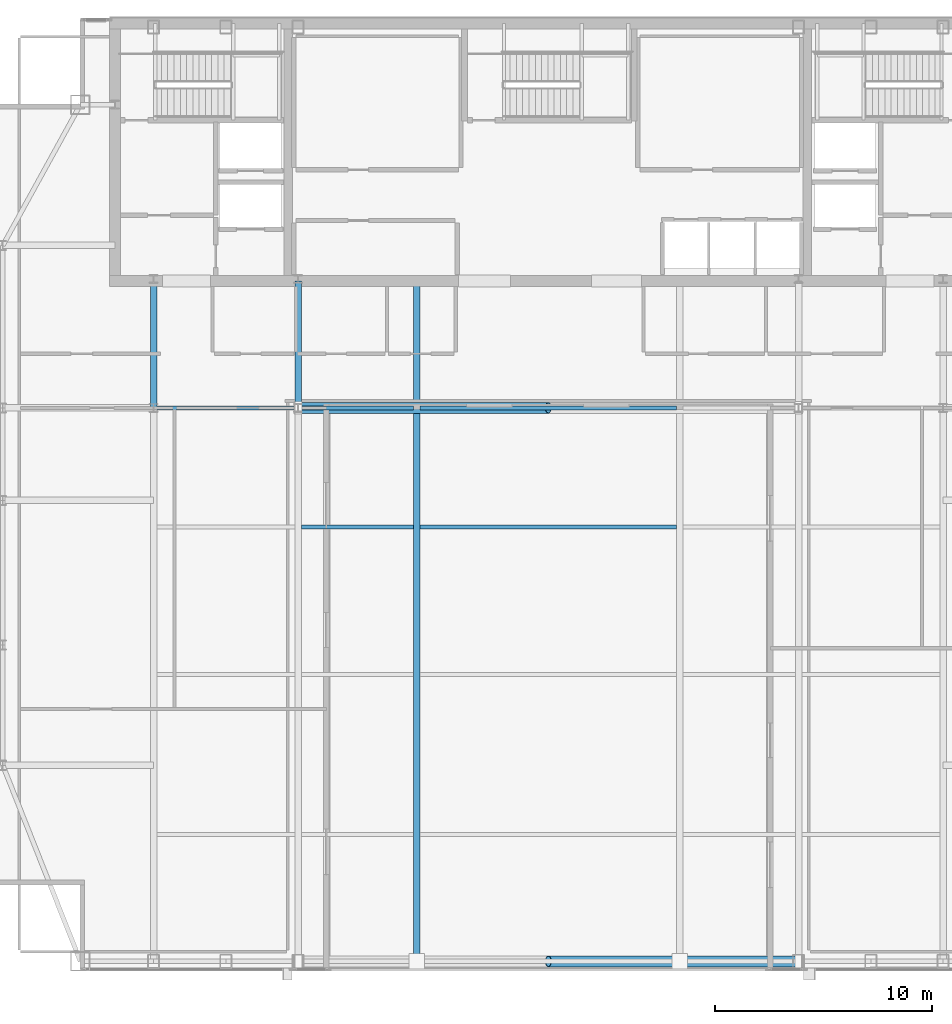
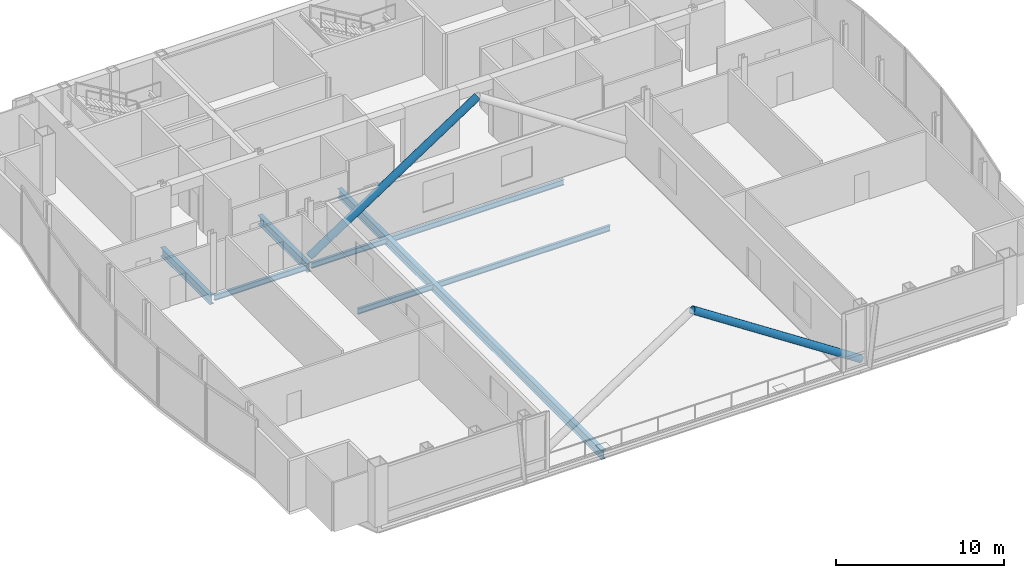
# One storey, part 11 of 27: 8 beams, 2 members.
"""IFC4 building model written with IfcOpenShell, lengths in metres."""

from ifc_helpers import new_model, si_unit, direction, frame, origin, origin_2d, place, context, subcontext, project, spatial, hollow_circle, i_section, extrude, material, material_profile, profile_set, type_object, element, save


model = new_model("IFC4")

# Units and contexts
model_context = context("Model", 3, precision=1e-05, world=origin(), true_north=direction((0.0, 1.0)))
body_context = subcontext(model_context, "Body", "Model", "MODEL_VIEW")
ifc_project = project(units=[si_unit("LENGTHUNIT", "METRE"), si_unit("AREAUNIT", "SQUARE_METRE"), si_unit("VOLUMEUNIT", "CUBIC_METRE"), si_unit("PLANEANGLEUNIT", "RADIAN"), si_unit("MASSUNIT", "GRAM", prefix="KILO")], contexts=[model_context])

# Site, building, storey
site_placement = place(None, origin())
site = spatial("IfcSite", under=ifc_project, at=site_placement, CompositionType="ELEMENT")
building_placement = place(site_placement, origin())
building = spatial("IfcBuilding", under=site, at=building_placement, Name="Khoronbel Lancet Exchange", CompositionType="ELEMENT")
storey_placement = place(building_placement, frame((0.0, 0.0, 305.800048828125)))
storey = spatial("IfcBuildingStorey", under=building, at=storey_placement, Name="L79", CompositionType="ELEMENT", Elevation=305.800048828125)

# Beams
ifc_material = material(Name="Steel S355", Category="steel")
ifc_material_profile_1 = material_profile(ifc_material, i_section(OverallWidth=0.300048828125, OverallDepth=0.64990234375, WebThickness=0.01611328125, FlangeThickness=0.031005859375, at=origin_2d()), Name="HEB 650")
ifc_profile_set_1 = profile_set([ifc_material_profile_1], Name="Steel S355")
beam_type_1 = type_object("IfcBeamType", Name="BM-BG4", PredefinedType="BEAM", material=ifc_profile_set_1)
for number, where, z_axis, x_axis, name in (
    (1, (18.22509765625, 35.699951171875, -0.545166015625), (0.0, 1.0, 0.0), (-1.0, 0.0, 0.0), "Level L79 spine tie girder GN1"),
    (2, (24.89990234375, 35.699951171875, -0.545166015625), (0.0, 1.0, 0.0), (-1.0, 0.0, 0.0), "Level L79 spine tie girder GN2"),
):
    element("IfcBeam", number, at=place(storey_placement, frame(where, z_axis=z_axis, x_axis=x_axis)), inside=storey, type_object=beam_type_1, Name=name, PredefinedType="BEAM", context=body_context, shape_type="SweptSolid", body=[
        extrude(i_section(OverallWidth=0.300048828125, OverallDepth=0.64990234375, WebThickness=0.01611328125, FlangeThickness=0.031005859375, at=origin_2d()), origin(), (0.0, 0.0, 1.0), 5.85009765625),
    ])
beam_1_placement = place(storey_placement, frame((30.375, 10.14990234375, -0.545166015625), z_axis=(0.0, 1.0, 0.0), x_axis=(-1.0, 0.0, 0.0)))
element("IfcBeam", 3, at=beam_1_placement, inside=storey, type_object=beam_type_1, Name="Level L79 primary floor girder G3", PredefinedType="BEAM", context=body_context, shape_type="SweptSolid", body=[
    extrude(i_section(OverallWidth=0.300048828125, OverallDepth=0.64990234375, WebThickness=0.01611328125, FlangeThickness=0.031005859375, at=origin_2d()), origin(), (0.0, 0.0, 1.0), 31.400146484375),
])
ifc_material_profile_2 = material_profile(ifc_material, i_section(OverallWidth=0.179931640625, OverallDepth=0.39990234375, WebThickness=0.008544921875, FlangeThickness=0.013427734375, at=origin_2d()), Name="IPE 400")
ifc_profile_set_2 = profile_set([ifc_material_profile_2], Name="Steel S355")
beam_type_2 = type_object("IfcBeamType", Name="BM-BJ5", PredefinedType="JOIST", material=ifc_profile_set_2)
beam_2_placement = place(storey_placement, frame((25.050048828125, 30.199951171875, -0.420166015625), z_axis=(1.0, 0.0, 0.0), x_axis=(0.0, 1.0, 0.0)))
element("IfcBeam", 4, at=beam_2_placement, inside=storey, type_object=beam_type_2, Name="Level L79 secondary composite joist J12", PredefinedType="JOIST", context=body_context, shape_type="SweptSolid", body=[
    extrude(i_section(OverallWidth=0.179931640625, OverallDepth=0.39990234375, WebThickness=0.008544921875, FlangeThickness=0.013427734375, at=origin_2d()), origin(), (0.0, 0.0, 1.0), 5.175048828125),
])
beam_3_placement = place(storey_placement, frame((30.52490234375, 30.199951171875, -0.420166015625), z_axis=(1.0, 0.0, 0.0), x_axis=(0.0, 1.0, 0.0)))
element("IfcBeam", 5, at=beam_3_placement, inside=storey, type_object=beam_type_2, Name="Level L79 secondary composite joist J13", PredefinedType="JOIST", context=body_context, shape_type="SweptSolid", body=[
    extrude(i_section(OverallWidth=0.179931640625, OverallDepth=0.39990234375, WebThickness=0.008544921875, FlangeThickness=0.013427734375, at=origin_2d()), origin(), (0.0, 0.0, 1.0), 11.85009765625),
])
beam_4_placement = place(storey_placement, frame((18.375, 35.699951171875, -0.420166015625), z_axis=(1.0, 0.0, 0.0), x_axis=(0.0, 1.0, 0.0)))
element("IfcBeam", 6, at=beam_4_placement, inside=storey, type_object=beam_type_2, Name="Level L79 secondary composite joist J16", PredefinedType="JOIST", context=body_context, shape_type="SweptSolid", body=[
    extrude(i_section(OverallWidth=0.179931640625, OverallDepth=0.39990234375, WebThickness=0.008544921875, FlangeThickness=0.013427734375, at=origin_2d()), origin(), (0.0, 0.0, 1.0), 6.375),
])
beam_5_placement = place(storey_placement, frame((25.050048828125, 35.699951171875, -0.420166015625), z_axis=(1.0, 0.0, 0.0), x_axis=(0.0, 1.0, 0.0)))
element("IfcBeam", 7, at=beam_5_placement, inside=storey, type_object=beam_type_2, Name="Level L79 secondary composite joist J17", PredefinedType="JOIST", context=body_context, shape_type="SweptSolid", body=[
    extrude(i_section(OverallWidth=0.179931640625, OverallDepth=0.39990234375, WebThickness=0.008544921875, FlangeThickness=0.013427734375, at=origin_2d()), origin(), (0.0, 0.0, 1.0), 5.175048828125),
])
beam_6_placement = place(storey_placement, frame((30.52490234375, 35.699951171875, -0.420166015625), z_axis=(1.0, 0.0, 0.0), x_axis=(0.0, 1.0, 0.0)))
element("IfcBeam", 8, at=beam_6_placement, inside=storey, type_object=beam_type_2, Name="Level L79 secondary composite joist J18", PredefinedType="JOIST", context=body_context, shape_type="SweptSolid", body=[
    extrude(i_section(OverallWidth=0.179931640625, OverallDepth=0.39990234375, WebThickness=0.008544921875, FlangeThickness=0.013427734375, at=origin_2d()), origin(), (0.0, 0.0, 1.0), 11.85009765625),
])

# Members
ifc_material_profile_3 = material_profile(ifc_material, hollow_circle(Radius=0.25390625, WallThickness=0.02490234375, at=origin_2d()), Name="CHS 508x25")
ifc_profile_set_3 = profile_set([ifc_material_profile_3], Name="Steel S355")
member_type = type_object("IfcMemberType", Name="MEM-STR1", PredefinedType="STRUT", material=ifc_profile_set_3)
for number, where, z_axis, x_axis, name in (
    (9, (48.0, 10.14990234375, 0.25), (-0.83571173389, 0.0, 0.549168369299), (0.0, -1.0, 0.0), "Pointed-lancet wind-portal strut S-E"),
    (10, (24.89990234375, 35.699951171875, 0.25), (0.83571173389, 0.0, 0.549168369299), (0.0, 1.0, 0.0), "Pointed-lancet wind-portal strut N-W"),
):
    element("IfcMember", number, at=place(storey_placement, frame(where, z_axis=z_axis, x_axis=x_axis)), inside=storey, type_object=member_type, Name=name, PredefinedType="STRUT", context=body_context, shape_type="SweptSolid", body=[
        extrude(hollow_circle(Radius=0.25390625, WallThickness=0.02490234375, at=origin_2d()), origin(), (0.0, 0.0, 1.0), 13.820556640625),
    ])

save(model, "model.ifc")
